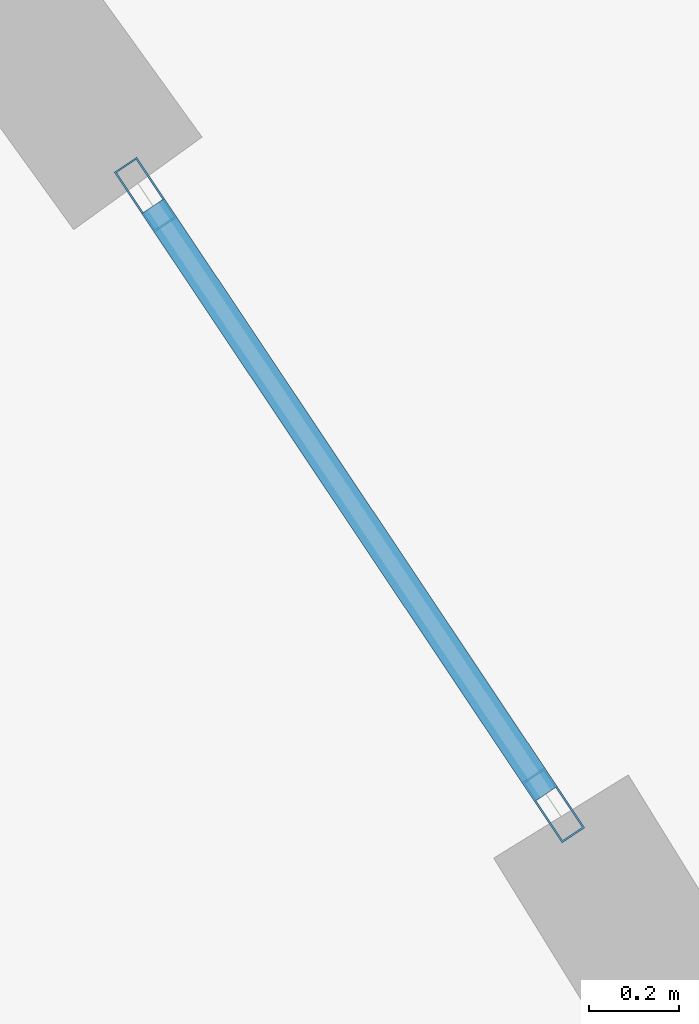
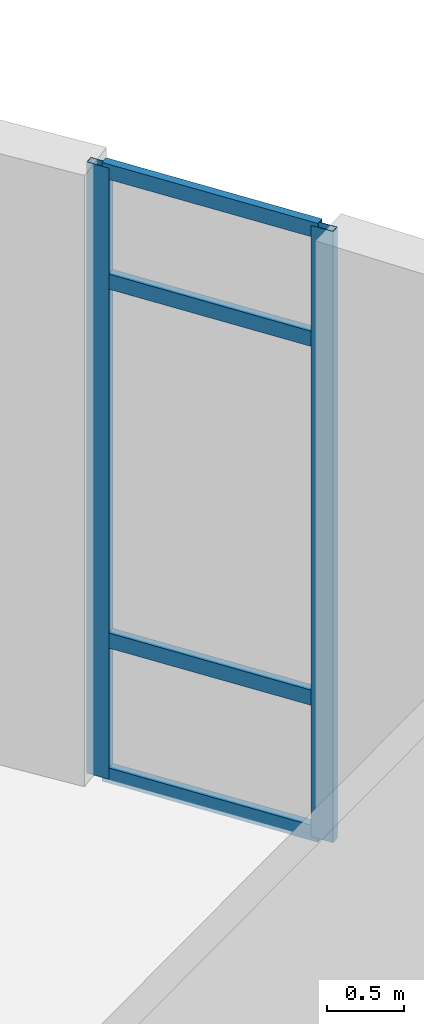
# One storey, part 51 of 103: 6 members, 1 element without a shape of its own.
"""IFC4 building model written with IfcOpenShell, lengths in metres."""

from ifc_helpers import new_model, si_unit, direction, frame, origin, origin_2d, place, context, subcontext, project, spatial, hollow_rectangle, extrude, material, layer, layer_set, material_profile, profile_set, type_object, element, aggregate, save


model = new_model("IFC4")

# Units and contexts
model_context = context("Model", 3, precision=1e-05, world=origin(), true_north=direction((0.0, 1.0)))
body_context = subcontext(model_context, "Body", "Model", "MODEL_VIEW")
ifc_project = project(units=[si_unit("LENGTHUNIT", "METRE"), si_unit("AREAUNIT", "SQUARE_METRE"), si_unit("VOLUMEUNIT", "CUBIC_METRE"), si_unit("PLANEANGLEUNIT", "RADIAN"), si_unit("MASSUNIT", "GRAM", prefix="KILO"), si_unit("THERMODYNAMICTEMPERATUREUNIT", "KELVIN")], contexts=[model_context])

# Site, building, storey
site_placement = place(None, origin())
site = spatial("IfcSite", under=ifc_project, at=site_placement, CompositionType="ELEMENT")
building_placement = place(site_placement, origin())
building = spatial("IfcBuilding", under=site, at=building_placement, Name="Lustrewick Department Store", CompositionType="ELEMENT")
storey_placement = place(building_placement, frame((0.0, 0.0, 16.5)))
storey = spatial("IfcBuildingStorey", under=building, at=storey_placement, Name="L04", CompositionType="ELEMENT", Elevation=16.5)

# Curtain wall, members
ifc_material = material(Name="Thermally broken aluminium 6063-T5", Category="aluminium")
ifc_layer = layer(ifc_material, 0.159912109375, Name="Thermally broken aluminium 6063-T5")
ifc_layer_set = layer_set([ifc_layer], Name="Thermally broken aluminium 6063-T5")
curtain_wall_type = type_object("IfcCurtainWallType", Name="CW04", PredefinedType="NOTDEFINED", material=ifc_layer_set)
curtain_wall_placement = place(storey_placement, origin())
curtain_wall = element("IfcCurtainWall", 1, at=curtain_wall_placement, inside=storey, type_object=curtain_wall_type, Name="L04 V4 Curtain Wall CW04", PredefinedType="NOTDEFINED")
ifc_material_profile_1 = material_profile(ifc_material, hollow_rectangle(XDim=0.06005859375, YDim=0.159912109375, WallThickness=0.00390625, at=origin_2d()), Name="ALU-M 60x160x4")
ifc_profile_set_1 = profile_set([ifc_material_profile_1], Name="Thermally broken aluminium 6063-T5")
member_type_1 = type_object("IfcMemberType", Name="CW04-M1", PredefinedType="MULLION", material=ifc_profile_set_1)
member_1_placement = place(storey_placement, frame((155.6904296875, 85.14306640625, 0.0), z_axis=(0.0, 0.0, 1.0), x_axis=(-0.831474621554, -0.555562736072, 0.0)))
member_1 = element("IfcMember", 2, at=member_1_placement, type_object=member_type_1, Name="CW04 mullion 1", PredefinedType="MULLION", context=body_context, shape_type="SweptSolid", body=[
    extrude(hollow_rectangle(XDim=0.06005859375, YDim=0.159912109375, WallThickness=0.00390625, at=origin_2d()), origin(), (0.0, 0.0, 1.0), 4.844970703125),
])
member_2_placement = place(storey_placement, frame((154.787841796875, 86.494140625, 0.0), z_axis=(0.0, 0.0, 1.0), x_axis=(-0.831474621554, -0.555562736072, 0.0)))
member_2 = element("IfcMember", 3, at=member_2_placement, type_object=member_type_1, Name="CW04 mullion 2", PredefinedType="MULLION", context=body_context, shape_type="SweptSolid", body=[
    extrude(hollow_rectangle(XDim=0.06005859375, YDim=0.159912109375, WallThickness=0.00390625, at=origin_2d()), origin(), (0.0, 0.0, 1.0), 4.844970703125),
])
ifc_material_profile_2 = material_profile(ifc_material, hollow_rectangle(XDim=0.06005859375, YDim=0.1201171875, WallThickness=0.00341796875, at=origin_2d()), Name="ALU-T 60x120x3.5")
ifc_profile_set_2 = profile_set([ifc_material_profile_2], Name="Thermally broken aluminium 6063-T5")
member_type_2 = type_object("IfcMemberType", Name="CW04-T1", PredefinedType="USERDEFINED", material=ifc_profile_set_2)
member_3_placement = place(storey_placement, frame((155.673828125, 85.16796875, 0.030029296875), z_axis=(-0.555527939353, 0.831497870472, 0.0), x_axis=(-0.831497870472, -0.555527939353, 0.0)))
member_3 = element("IfcMember", 4, at=member_3_placement, type_object=member_type_2, Name="CW04 transom 1.1", ObjectType="TRANSOM", PredefinedType="USERDEFINED", context=body_context, shape_type="SweptSolid", body=[
    extrude(hollow_rectangle(XDim=0.06005859375, YDim=0.1201171875, WallThickness=0.00341796875, at=origin_2d()), origin(), (0.0, 0.0, 1.0), 1.56494140625),
])
member_4_placement = place(storey_placement, frame((155.673828125, 85.16796875, 1.10009765625), z_axis=(-0.555527939353, 0.831497870472, 0.0), x_axis=(-0.831497870472, -0.555527939353, 0.0)))
member_4 = element("IfcMember", 5, at=member_4_placement, type_object=member_type_2, Name="CW04 transom 1.2", ObjectType="TRANSOM", PredefinedType="USERDEFINED", context=body_context, shape_type="SweptSolid", body=[
    extrude(hollow_rectangle(XDim=0.06005859375, YDim=0.1201171875, WallThickness=0.00341796875, at=origin_2d()), origin(), (0.0, 0.0, 1.0), 1.56494140625),
])
member_5_placement = place(storey_placement, frame((155.673828125, 85.16796875, 3.945068359375), z_axis=(-0.555527939353, 0.831497870472, 0.0), x_axis=(-0.831497870472, -0.555527939353, 0.0)))
member_5 = element("IfcMember", 6, at=member_5_placement, type_object=member_type_2, Name="CW04 transom 1.3", ObjectType="TRANSOM", PredefinedType="USERDEFINED", context=body_context, shape_type="SweptSolid", body=[
    extrude(hollow_rectangle(XDim=0.06005859375, YDim=0.1201171875, WallThickness=0.00341796875, at=origin_2d()), origin(), (0.0, 0.0, 1.0), 1.56494140625),
])
member_6_placement = place(storey_placement, frame((155.673828125, 85.16796875, 4.81494140625), z_axis=(-0.555527939353, 0.831497870472, 0.0), x_axis=(-0.831497870472, -0.555527939353, 0.0)))
member_6 = element("IfcMember", 7, at=member_6_placement, type_object=member_type_2, Name="CW04 transom 1.4", ObjectType="TRANSOM", PredefinedType="USERDEFINED", context=body_context, shape_type="SweptSolid", body=[
    extrude(hollow_rectangle(XDim=0.06005859375, YDim=0.1201171875, WallThickness=0.00341796875, at=origin_2d()), origin(), (0.0, 0.0, 1.0), 1.56494140625),
])
aggregate(curtain_wall, [member_1, member_2, member_3, member_4, member_5, member_6])

save(model, "model.ifc")
